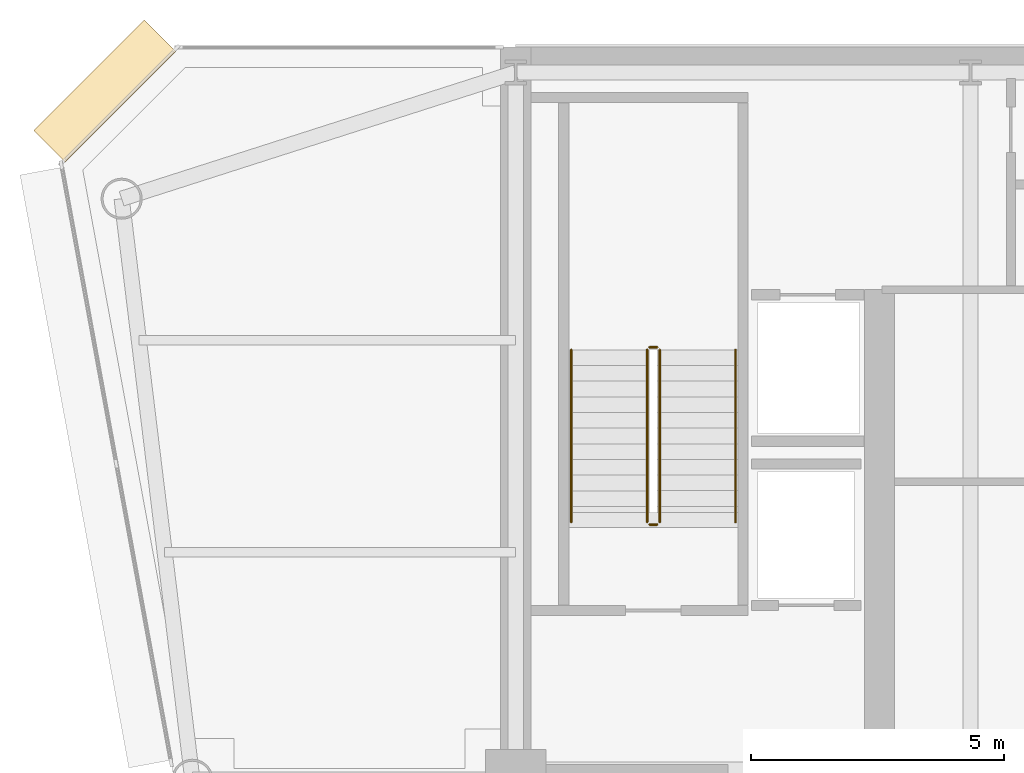
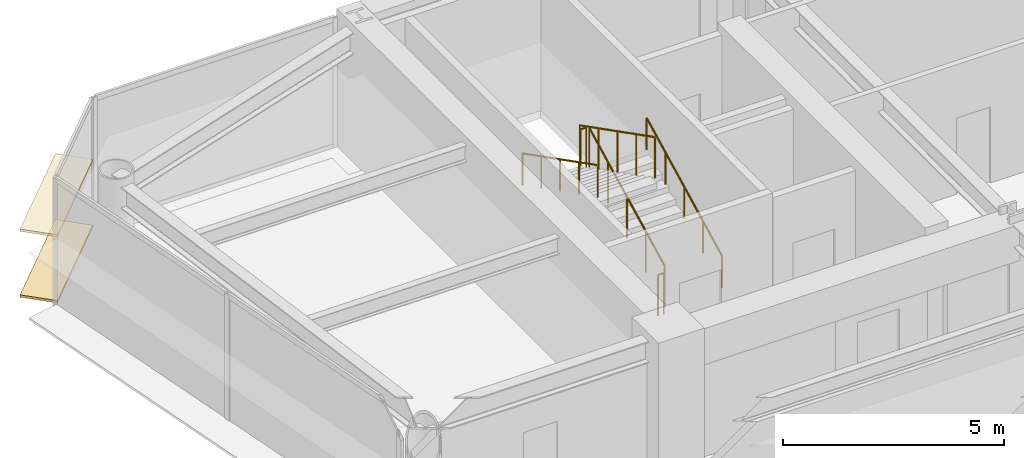
# One storey, part 14 of 16: 6 railings, 2 coverings.
"""IFC4 building model written with IfcOpenShell, lengths in metres."""

from ifc_helpers import new_model, si_unit, direction, frame, origin, origin_2d, place, context, subcontext, project, spatial, rectangle, circle, extrude, source, transform, mapped, material, layer, layer_set, type_object, element, save


model = new_model("IFC4")

# Units and contexts
model_context = context("Model", 3, precision=1e-05, world=origin(), true_north=direction((0.0, 1.0)))
body_context = subcontext(model_context, "Body", "Model", "MODEL_VIEW")
ifc_project = project(units=[si_unit("LENGTHUNIT", "METRE"), si_unit("AREAUNIT", "SQUARE_METRE"), si_unit("VOLUMEUNIT", "CUBIC_METRE"), si_unit("PLANEANGLEUNIT", "RADIAN"), si_unit("MASSUNIT", "GRAM", prefix="KILO")], contexts=[model_context])

# Site, building, storey
site_placement = place(None, origin())
site = spatial("IfcSite", under=ifc_project, at=site_placement, CompositionType="ELEMENT")
building_placement = place(site_placement, origin())
building = spatial("IfcBuilding", under=site, at=building_placement, Name="Vaeldorn Concourse Tower", CompositionType="ELEMENT")
storey_placement = place(building_placement, frame((0.0, 0.0, 184.199951171875)))
storey = spatial("IfcBuildingStorey", under=building, at=storey_placement, Name="L47", CompositionType="ELEMENT", Elevation=184.199951171875)

# Railings
ifc_material = material(Name="Anodised Bronze Aluminium", Category="aluminium")
railing_type_1 = type_object("IfcRailingType", Name="RL-STAIR-GUARD", PredefinedType="GUARDRAIL", material=ifc_material)
railing_1_placement = place(storey_placement, frame((16.85009765625, 41.60009765625, 0.158447265625)))
element("IfcRailing", 1, at=railing_1_placement, inside=storey, type_object=railing_type_1, Name="L47 ST-1 stair guard 1", PredefinedType="GUARDRAIL", context=body_context, shape_type="SweptSolid", body=[
    extrude(circle(Radius=0.02392578125, at=origin_2d()), frame((0.0, 0.0, 1.1259765625), z_axis=(0.0, 0.890555807335, 0.454873997962), x_axis=(-1.0, 0.0, 0.0)), (0.0, 0.0, 1.0), 3.828857421875),
    extrude(circle(Radius=0.02099609375, at=origin_2d()), origin(), (0.0, 0.0, 1.0), 1.101806640625),
    extrude(circle(Radius=0.02099609375, at=origin_2d()), frame((0.0, 0.8525390625, 0.435546875)), (0.0, 0.0, 1.0), 1.101806640625),
    extrude(circle(Radius=0.02099609375, at=origin_2d()), frame((0.0, 1.705078125, 0.870849609375)), (0.0, 0.0, 1.0), 1.101806640625),
    extrude(circle(Radius=0.02099609375, at=origin_2d()), frame((0.0, 2.557373046875, 1.30615234375)), (0.0, 0.0, 1.0), 1.101806640625),
    extrude(circle(Radius=0.02099609375, at=origin_2d()), frame((0.0, 3.409912109375, 1.74169921875)), (0.0, 0.0, 1.0), 1.101806640625),
])
railing_2_placement = place(storey_placement, frame((16.800048828125, 45.06005859375, 1.900146484375)))
element("IfcRailing", 2, at=railing_2_placement, inside=storey, type_object=railing_type_1, Name="L47 ST-1 stair guard 2", PredefinedType="GUARDRAIL", context=body_context, shape_type="SweptSolid", body=[
    extrude(circle(Radius=0.02392578125, at=origin_2d()), frame((0.0, 0.0, 1.1259765625), z_axis=(-1.0, 0.0, 0.0), x_axis=(0.0, -1.0, 0.0)), (0.0, 0.0, 1.0), 0.150146484375),
    extrude(circle(Radius=0.02099609375, at=origin_2d()), origin(), (0.0, 0.0, 1.0), 1.101806640625),
    extrude(circle(Radius=0.02099609375, at=origin_2d()), frame((-0.150146484375, 0.0, 0.0)), (0.0, 0.0, 1.0), 1.101806640625),
])
railing_3_placement = place(storey_placement, frame((16.60009765625, 45.010009765625, 2.058349609375)))
element("IfcRailing", 3, at=railing_3_placement, inside=storey, type_object=railing_type_1, Name="L47 ST-1 stair guard 3", PredefinedType="GUARDRAIL", context=body_context, shape_type="SweptSolid", body=[
    extrude(circle(Radius=0.02392578125, at=origin_2d()), frame((0.0, 0.0, 1.1259765625), z_axis=(0.0, -0.890555807335, 0.454873997962), x_axis=(1.0, 0.0, 0.0)), (0.0, 0.0, 1.0), 3.828857421875),
    extrude(circle(Radius=0.02099609375, at=origin_2d()), origin(), (0.0, 0.0, 1.0), 1.101806640625),
    extrude(circle(Radius=0.02099609375, at=origin_2d()), frame((0.0, -0.8525390625, 0.435546875)), (0.0, 0.0, 1.0), 1.101806640625),
    extrude(circle(Radius=0.02099609375, at=origin_2d()), frame((0.0, -1.705078125, 0.870849609375)), (0.0, 0.0, 1.0), 1.101806640625),
    extrude(circle(Radius=0.02099609375, at=origin_2d()), frame((0.0, -2.557373046875, 1.30615234375)), (0.0, 0.0, 1.0), 1.101806640625),
    extrude(circle(Radius=0.02099609375, at=origin_2d()), frame((0.0, -3.409912109375, 1.74169921875)), (0.0, 0.0, 1.0), 1.101806640625),
])
railing_4_placement = place(storey_placement, frame((16.800048828125, 41.550048828125, 0.0)))
element("IfcRailing", 4, at=railing_4_placement, inside=storey, type_object=railing_type_1, Name="L47 ST-1 stair guard 4", PredefinedType="GUARDRAIL", context=body_context, shape_type="SweptSolid", body=[
    extrude(circle(Radius=0.02392578125, at=origin_2d()), frame((0.0, 0.0, 1.1259765625), z_axis=(-1.0, 0.0, 0.0), x_axis=(0.0, -1.0, 0.0)), (0.0, 0.0, 1.0), 0.150146484375),
    extrude(circle(Radius=0.02099609375, at=origin_2d()), origin(), (0.0, 0.0, 1.0), 1.101806640625),
    extrude(circle(Radius=0.02099609375, at=origin_2d()), frame((-0.150146484375, 0.0, 0.0)), (0.0, 0.0, 1.0), 1.101806640625),
])
railing_type_2 = type_object("IfcRailingType", Name="RL-STAIR-HANDRAIL", PredefinedType="HANDRAIL", material=ifc_material)
railing_5_placement = place(storey_placement, frame((18.35009765625, 41.60009765625, 0.158447265625)))
element("IfcRailing", 5, at=railing_5_placement, inside=storey, type_object=railing_type_2, Name="L47 ST-1 stair handrail 1", PredefinedType="HANDRAIL", context=body_context, shape_type="SweptSolid", body=[
    extrude(circle(Radius=0.02392578125, at=origin_2d()), frame((0.0, 0.0, 0.8759765625), z_axis=(0.0, 0.890555807335, 0.454873997962), x_axis=(-1.0, 0.0, 0.0)), (0.0, 0.0, 1.0), 3.828857421875),
    extrude(circle(Radius=0.02099609375, at=origin_2d()), origin(), (0.0, 0.0, 1.0), 0.851806640625),
    extrude(circle(Radius=0.02099609375, at=origin_2d()), frame((0.0, 0.8525390625, 0.435546875)), (0.0, 0.0, 1.0), 0.851806640625),
    extrude(circle(Radius=0.02099609375, at=origin_2d()), frame((0.0, 1.705078125, 0.870849609375)), (0.0, 0.0, 1.0), 0.851806640625),
    extrude(circle(Radius=0.02099609375, at=origin_2d()), frame((0.0, 2.557373046875, 1.30615234375)), (0.0, 0.0, 1.0), 0.851806640625),
    extrude(circle(Radius=0.02099609375, at=origin_2d()), frame((0.0, 3.409912109375, 1.74169921875)), (0.0, 0.0, 1.0), 0.851806640625),
])
railing_6_placement = place(storey_placement, frame((15.10009765625, 45.010009765625, 2.058349609375)))
element("IfcRailing", 6, at=railing_6_placement, inside=storey, type_object=railing_type_2, Name="L47 ST-1 stair handrail 2", PredefinedType="HANDRAIL", context=body_context, shape_type="SweptSolid", body=[
    extrude(circle(Radius=0.02392578125, at=origin_2d()), frame((0.0, 0.0, 0.8759765625), z_axis=(0.0, -0.890555807335, 0.454873997962), x_axis=(1.0, 0.0, 0.0)), (0.0, 0.0, 1.0), 3.828857421875),
    extrude(circle(Radius=0.02099609375, at=origin_2d()), origin(), (0.0, 0.0, 1.0), 0.851806640625),
    extrude(circle(Radius=0.02099609375, at=origin_2d()), frame((0.0, -0.8525390625, 0.435546875)), (0.0, 0.0, 1.0), 0.851806640625),
    extrude(circle(Radius=0.02099609375, at=origin_2d()), frame((0.0, -1.705078125, 0.870849609375)), (0.0, 0.0, 1.0), 0.851806640625),
    extrude(circle(Radius=0.02099609375, at=origin_2d()), frame((0.0, -2.557373046875, 1.30615234375)), (0.0, 0.0, 1.0), 0.851806640625),
    extrude(circle(Radius=0.02099609375, at=origin_2d()), frame((0.0, -3.409912109375, 1.74169921875)), (0.0, 0.0, 1.0), 0.851806640625),
])

# Coverings
ifc_layer = layer(ifc_material, 0.06494140625)
ifc_layer_set = layer_set([ifc_layer], Name="Anodised Bronze Aluminium")
covering_type = type_object("IfcCoveringType", Name="SD-BRONZE-SUNSHADE", PredefinedType="USERDEFINED", material=ifc_layer_set)
shared_shape = source(origin(), body_context, "Body", "SweptSolid", [
    extrude(rectangle(XDim=3.0927734375, YDim=0.8798828125, at=origin_2d()), origin(), (0.0, 0.0, 1.0), 0.06494140625),
])
for number, where, z_axis, x_axis, name in (
    (7, (5.8671875, 50.1328125, 0.047607421875), (0.0, 0.0, 1.0), (-0.707106781187, -0.707106781187, 0.0), "Horizontal Bronze Sunshade L47-E10.1.1"),
    (8, (5.8671875, 50.1328125, 1.86767578125), (0.0, 0.0, 1.0), (-0.707106781187, -0.707106781187, 0.0), "Horizontal Bronze Sunshade L47-E10.1.2"),
):
    element("IfcCovering", number, at=place(storey_placement, frame(where, z_axis=z_axis, x_axis=x_axis)), inside=storey, type_object=covering_type, Name=name, ObjectType="SUNSHADE", PredefinedType="USERDEFINED", context=body_context, shape_type="MappedRepresentation", body=[
        mapped(shared_shape, transform((0.0, 0.0, 0.0), scale=1.0)),
    ])

save(model, "model.ifc")
